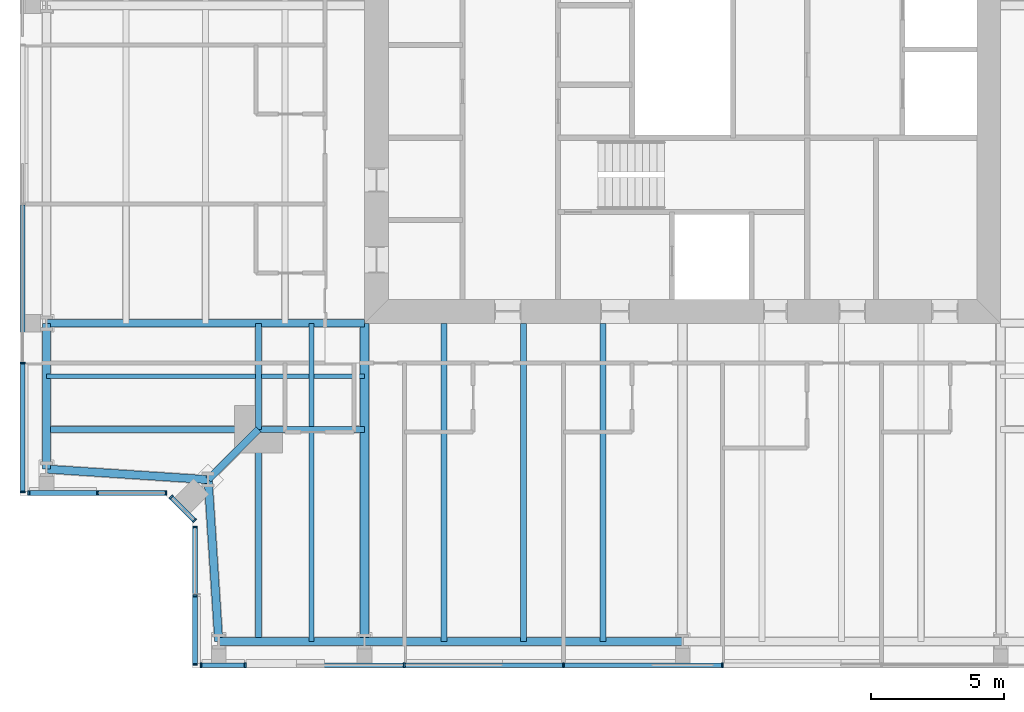
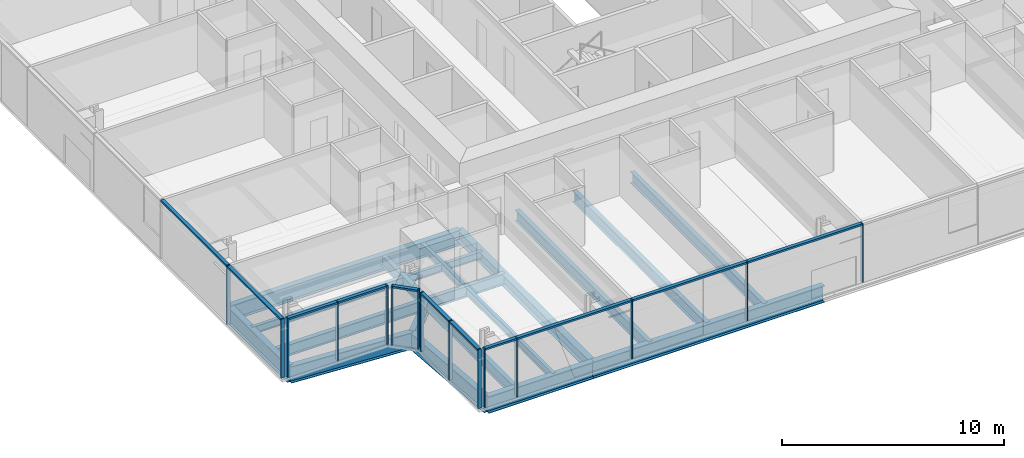
# One storey, part 2 of 20: 26 members, 20 beams, 5 elements without a shape of their own.
"""IFC4 building model written with IfcOpenShell, lengths in metres."""

from ifc_helpers import new_model, si_unit, direction, frame, origin, origin_2d, place, context, subcontext, project, spatial, rectangle, i_section, extrude, material, material_profile, profile_set, type_object, element, aggregate, save


model = new_model("IFC4")

# Units and contexts
model_context = context("Model", 3, precision=1e-05, world=origin(), true_north=direction((0.0, 1.0)))
body_context = subcontext(model_context, "Body", "Model", "MODEL_VIEW")
ifc_project = project(units=[si_unit("LENGTHUNIT", "METRE"), si_unit("AREAUNIT", "SQUARE_METRE"), si_unit("VOLUMEUNIT", "CUBIC_METRE"), si_unit("PLANEANGLEUNIT", "RADIAN"), si_unit("MASSUNIT", "GRAM", prefix="KILO")], contexts=[model_context])

# Site, building, storey
site_placement = place(None, origin())
site = spatial("IfcSite", under=ifc_project, at=site_placement, CompositionType="ELEMENT")
building_placement = place(site_placement, origin())
building = spatial("IfcBuilding", under=site, at=building_placement, Name="Fenwick Lantern Interchange", CompositionType="ELEMENT")
storey_placement = place(building_placement, frame((0.0, 0.0, 249.199951171875)))
storey = spatial("IfcBuildingStorey", under=building, at=storey_placement, Name="L58", CompositionType="ELEMENT", Elevation=249.199951171875)

# Beams
ifc_material_1 = material(Name="Steel ASTM A992 Grade 50", Category="steel")
ifc_material_profile_1 = material_profile(ifc_material_1, i_section(OverallWidth=0.3046875, OverallDepth=0.911865234375, WebThickness=0.015869140625, FlangeThickness=0.02392578125, at=origin_2d()), Name="W36X150")
ifc_profile_set_1 = profile_set([ifc_material_profile_1], Name="Steel ASTM A992 Grade 50")
beam_type_1 = type_object("IfcBeamType", Name="EDGE BEAM W36X150", PredefinedType="SPANDREL", material=ifc_profile_set_1)
beam_1_placement = place(storey_placement, frame((7.5, 1.0, -0.60595703125), z_axis=(1.0, 0.0, 0.0), x_axis=(0.0, 1.0, 0.0)))
element("IfcBeam", 1, at=beam_1_placement, inside=storey, type_object=beam_type_1, Name="L58/FR/S/EB1", PredefinedType="SPANDREL", context=body_context, shape_type="SweptSolid", body=[
    extrude(i_section(OverallWidth=0.3046875, OverallDepth=0.911865234375, WebThickness=0.015869140625, FlangeThickness=0.02392578125, at=origin_2d()), origin(), (0.0, 0.0, 1.0), 5.5),
])
beam_2_placement = place(storey_placement, frame((13.0, 1.0, -0.60595703125), z_axis=(1.0, 0.0, 0.0), x_axis=(0.0, 1.0, 0.0)))
element("IfcBeam", 2, at=beam_2_placement, inside=storey, type_object=beam_type_1, Name="L58/FR/S/EB2", PredefinedType="SPANDREL", context=body_context, shape_type="SweptSolid", body=[
    extrude(i_section(OverallWidth=0.3046875, OverallDepth=0.911865234375, WebThickness=0.015869140625, FlangeThickness=0.02392578125, at=origin_2d()), origin(), (0.0, 0.0, 1.0), 12.0),
])
beam_3_placement = place(storey_placement, frame((1.0, 13.0, -0.60595703125), z_axis=(0.0, -1.0, 0.0), x_axis=(1.0, 0.0, 0.0)))
element("IfcBeam", 3, at=beam_3_placement, inside=storey, type_object=beam_type_1, Name="L58/FR/W/EB4", PredefinedType="SPANDREL", context=body_context, shape_type="SweptSolid", body=[
    extrude(i_section(OverallWidth=0.3046875, OverallDepth=0.911865234375, WebThickness=0.015869140625, FlangeThickness=0.02392578125, at=origin_2d()), origin(), (0.0, 0.0, 1.0), 5.5),
])
for number, where, z_axis, x_axis, name in (
    (4, (1.0, 7.5, -0.60595703125), (0.997858060337, -0.065416293237, 0.0), (0.065416293237, 0.997858060337, 0.0), "L58/FR/W/EBR1"),
    (5, (7.10009765625, 7.10009765625, -0.60595703125), (0.065416293237, -0.997858060337, 0.0), (0.997858060337, 0.065416293237, 0.0), "L58/FR/W/EBR2"),
):
    element("IfcBeam", number, at=place(storey_placement, frame(where, z_axis=z_axis, x_axis=x_axis)), inside=storey, type_object=beam_type_1, Name=name, PredefinedType="SPANDREL", context=body_context, shape_type="SweptSolid", body=[
        extrude(i_section(OverallWidth=0.3046875, OverallDepth=0.911865234375, WebThickness=0.015869140625, FlangeThickness=0.02392578125, at=origin_2d()), origin(), (0.0, 0.0, 1.0), 6.11328125),
    ])
ifc_material_profile_2 = material_profile(ifc_material_1, i_section(OverallWidth=0.22900390625, OverallDepth=0.612060546875, WebThickness=0.011962890625, FlangeThickness=0.01953125, at=origin_2d()), Name="W24X84")
ifc_profile_set_2 = profile_set([ifc_material_profile_2], Name="Steel ASTM A992 Grade 50")
beam_type_2 = type_object("IfcBeamType", Name="FLOOR BEAM W24X84", PredefinedType="BEAM", material=ifc_profile_set_2)
for number, where, z_axis, x_axis, name in (
    (6, (16.0, 1.0, -0.4560546875), (0.0, 1.0, 0.0), (-1.0, 0.0, 0.0), "L58/FR/S/R02"),
    (7, (19.0, 1.0, -0.4560546875), (0.0, 1.0, 0.0), (-1.0, 0.0, 0.0), "L58/FR/S/R03"),
    (8, (22.0, 1.0, -0.4560546875), (0.0, 1.0, 0.0), (-1.0, 0.0, 0.0), "L58/FR/S/R04"),
):
    element("IfcBeam", number, at=place(storey_placement, frame(where, z_axis=z_axis, x_axis=x_axis)), inside=storey, type_object=beam_type_2, Name=name, PredefinedType="BEAM", context=body_context, shape_type="SweptSolid", body=[
        extrude(i_section(OverallWidth=0.22900390625, OverallDepth=0.612060546875, WebThickness=0.011962890625, FlangeThickness=0.01953125, at=origin_2d()), origin(), (0.0, 0.0, 1.0), 12.0),
    ])

# Curtain wall, members
ifc_material_2 = material(Name="Aluminium curtain wall frame", Category="aluminium")
curtain_wall_type = type_object("IfcCurtainWallType", Name="HOTEL CURTAIN WALL", PredefinedType="USERDEFINED", material=ifc_material_2)
curtain_wall_1_placement = place(storey_placement, origin())
curtain_wall_1 = element("IfcCurtainWall", 9, at=curtain_wall_1_placement, inside=storey, type_object=curtain_wall_type, Name="Hotel curtain wall 01", ObjectType="HOTEL CURTAIN WALL", PredefinedType="USERDEFINED")
ifc_material_3 = material(Name="Aluminium extrusion", Category="aluminium")
ifc_material_profile_3 = material_profile(ifc_material_3, rectangle(XDim=0.179931640625, YDim=0.06005859375, at=origin_2d()), Name="HOTEL CURTAIN WALL MULLION 60 X 180")
ifc_profile_set_3 = profile_set([ifc_material_profile_3], Name="Aluminium extrusion")
member_type_1 = type_object("IfcMemberType", Name="HOTEL CURTAIN WALL MULLION 60 X 180", PredefinedType="MULLION", material=ifc_profile_set_3)
member_1_placement = place(storey_placement, frame((6.830078125, 0.10009765625, 0.0), z_axis=(0.0, 0.0, 1.0), x_axis=(0.0, 1.0, 0.0)))
member_1 = element("IfcMember", 10, at=member_1_placement, type_object=member_type_1, Name="L58/CW/01/M00", PredefinedType="MULLION", context=body_context, shape_type="SweptSolid", body=[
    extrude(rectangle(XDim=0.179931640625, YDim=0.06005859375, at=origin_2d()), origin(), (0.0, 0.0, 1.0), 3.25),
])
member_2_placement = place(storey_placement, frame((8.5, 0.10009765625, 0.0), z_axis=(0.0, 0.0, 1.0), x_axis=(0.0, 1.0, 0.0)))
member_2 = element("IfcMember", 11, at=member_2_placement, type_object=member_type_1, Name="L58/CW/01/M01", PredefinedType="MULLION", context=body_context, shape_type="SweptSolid", body=[
    extrude(rectangle(XDim=0.179931640625, YDim=0.06005859375, at=origin_2d()), origin(), (0.0, 0.0, 1.0), 3.25),
])
member_3_placement = place(storey_placement, frame((14.5, 0.10009765625, 0.0), z_axis=(0.0, 0.0, 1.0), x_axis=(0.0, 1.0, 0.0)))
member_3 = element("IfcMember", 12, at=member_3_placement, type_object=member_type_1, Name="L58/CW/01/M02", PredefinedType="MULLION", context=body_context, shape_type="SweptSolid", body=[
    extrude(rectangle(XDim=0.179931640625, YDim=0.06005859375, at=origin_2d()), origin(), (0.0, 0.0, 1.0), 3.25),
])
member_4_placement = place(storey_placement, frame((20.5, 0.10009765625, 0.0), z_axis=(0.0, 0.0, 1.0), x_axis=(0.0, 1.0, 0.0)))
member_4 = element("IfcMember", 13, at=member_4_placement, type_object=member_type_1, Name="L58/CW/01/M03", PredefinedType="MULLION", context=body_context, shape_type="SweptSolid", body=[
    extrude(rectangle(XDim=0.179931640625, YDim=0.06005859375, at=origin_2d()), origin(), (0.0, 0.0, 1.0), 3.25),
])
member_5_placement = place(storey_placement, frame((26.5, 0.10009765625, 0.0), z_axis=(0.0, 0.0, 1.0), x_axis=(0.0, 1.0, 0.0)))
member_5 = element("IfcMember", 14, at=member_5_placement, type_object=member_type_1, Name="L58/CW/01/M04", PredefinedType="MULLION", context=body_context, shape_type="SweptSolid", body=[
    extrude(rectangle(XDim=0.179931640625, YDim=0.06005859375, at=origin_2d()), origin(), (0.0, 0.0, 1.0), 3.25),
])

curtain_wall_2_placement = place(storey_placement, origin())
curtain_wall_2 = element("IfcCurtainWall", 15, at=curtain_wall_2_placement, inside=storey, type_object=curtain_wall_type, Name="Hotel curtain wall 13", ObjectType="HOTEL CURTAIN WALL", PredefinedType="USERDEFINED")
member_6_placement = place(storey_placement, frame((0.10009765625, 11.5, 0.0), z_axis=(0.0, 0.0, 1.0), x_axis=(1.0, 0.0, 0.0)))
member_6 = element("IfcMember", 16, at=member_6_placement, type_object=member_type_1, Name="L58/CW/13/M06", PredefinedType="MULLION", context=body_context, shape_type="SweptSolid", body=[
    extrude(rectangle(XDim=0.179931640625, YDim=0.06005859375, at=origin_2d()), origin(), (0.0, 0.0, 1.0), 3.25),
])
member_7_placement = place(storey_placement, frame((0.10009765625, 6.6298828125, 0.0), z_axis=(0.0, 0.0, 1.0), x_axis=(1.0, 0.0, 0.0)))
member_7 = element("IfcMember", 17, at=member_7_placement, type_object=member_type_1, Name="L58/CW/13/M07", PredefinedType="MULLION", context=body_context, shape_type="SweptSolid", body=[
    extrude(rectangle(XDim=0.179931640625, YDim=0.06005859375, at=origin_2d()), origin(), (0.0, 0.0, 1.0), 3.25),
])

curtain_wall_3_placement = place(storey_placement, origin())
curtain_wall_3 = element("IfcCurtainWall", 18, at=curtain_wall_3_placement, inside=storey, type_object=curtain_wall_type, Name="Hotel curtain wall 14", ObjectType="HOTEL CURTAIN WALL", PredefinedType="USERDEFINED")
member_8_placement = place(storey_placement, frame((0.330078125, 6.60009765625, 0.0), z_axis=(0.0, 0.0, 1.0), x_axis=(0.0, 1.0, 0.0)))
member_8 = element("IfcMember", 19, at=member_8_placement, type_object=member_type_1, Name="L58/CW/14/M00", PredefinedType="MULLION", context=body_context, shape_type="SweptSolid", body=[
    extrude(rectangle(XDim=0.179931640625, YDim=0.06005859375, at=origin_2d()), origin(), (0.0, 0.0, 1.0), 3.25),
])
member_9_placement = place(storey_placement, frame((2.920654296875, 6.60009765625, 0.0), z_axis=(0.0, 0.0, 1.0), x_axis=(0.0, 1.0, 0.0)))
member_9 = element("IfcMember", 20, at=member_9_placement, type_object=member_type_1, Name="L58/CW/14/M01", PredefinedType="MULLION", context=body_context, shape_type="SweptSolid", body=[
    extrude(rectangle(XDim=0.179931640625, YDim=0.06005859375, at=origin_2d()), origin(), (0.0, 0.0, 1.0), 3.25),
])
member_10_placement = place(storey_placement, frame((5.511474609375, 6.60009765625, 0.0), z_axis=(0.0, 0.0, 1.0), x_axis=(0.0, 1.0, 0.0)))
member_10 = element("IfcMember", 21, at=member_10_placement, type_object=member_type_1, Name="L58/CW/14/M02", PredefinedType="MULLION", context=body_context, shape_type="SweptSolid", body=[
    extrude(rectangle(XDim=0.179931640625, YDim=0.06005859375, at=origin_2d()), origin(), (0.0, 0.0, 1.0), 3.25),
])

curtain_wall_4_placement = place(storey_placement, origin())
curtain_wall_4 = element("IfcCurtainWall", 22, at=curtain_wall_4_placement, inside=storey, type_object=curtain_wall_type, Name="Hotel curtain wall 15", ObjectType="HOTEL CURTAIN WALL", PredefinedType="USERDEFINED")
member_11_placement = place(storey_placement, frame((5.7041015625, 6.437255859375, 0.0), z_axis=(0.0, 0.0, 1.0), x_axis=(0.707106781187, 0.707106781187, 0.0)))
member_11 = element("IfcMember", 23, at=member_11_placement, type_object=member_type_1, Name="L58/CW/15/M00", PredefinedType="MULLION", context=body_context, shape_type="SweptSolid", body=[
    extrude(rectangle(XDim=0.179931640625, YDim=0.06005859375, at=origin_2d()), origin(), (0.0, 0.0, 1.0), 3.25),
])
member_12_placement = place(storey_placement, frame((6.578857421875, 5.562744140625, 0.0), z_axis=(0.0, 0.0, 1.0), x_axis=(0.707106781187, 0.707106781187, 0.0)))
member_12 = element("IfcMember", 24, at=member_12_placement, type_object=member_type_1, Name="L58/CW/15/M01", PredefinedType="MULLION", context=body_context, shape_type="SweptSolid", body=[
    extrude(rectangle(XDim=0.179931640625, YDim=0.06005859375, at=origin_2d()), origin(), (0.0, 0.0, 1.0), 3.25),
])

curtain_wall_5_placement = place(storey_placement, origin())
curtain_wall_5 = element("IfcCurtainWall", 25, at=curtain_wall_5_placement, inside=storey, type_object=curtain_wall_type, Name="Hotel curtain wall 16", ObjectType="HOTEL CURTAIN WALL", PredefinedType="USERDEFINED")
member_13_placement = place(storey_placement, frame((6.60009765625, 5.3115234375, 0.0), z_axis=(0.0, 0.0, 1.0), x_axis=(1.0, 0.0, 0.0)))
member_13 = element("IfcMember", 26, at=member_13_placement, type_object=member_type_1, Name="L58/CW/16/M00", PredefinedType="MULLION", context=body_context, shape_type="SweptSolid", body=[
    extrude(rectangle(XDim=0.179931640625, YDim=0.06005859375, at=origin_2d()), origin(), (0.0, 0.0, 1.0), 3.25),
])
member_14_placement = place(storey_placement, frame((6.60009765625, 2.720703125, 0.0), z_axis=(0.0, 0.0, 1.0), x_axis=(1.0, 0.0, 0.0)))
member_14 = element("IfcMember", 27, at=member_14_placement, type_object=member_type_1, Name="L58/CW/16/M01", PredefinedType="MULLION", context=body_context, shape_type="SweptSolid", body=[
    extrude(rectangle(XDim=0.179931640625, YDim=0.06005859375, at=origin_2d()), origin(), (0.0, 0.0, 1.0), 3.25),
])
member_15_placement = place(storey_placement, frame((6.60009765625, 0.1298828125, 0.0), z_axis=(0.0, 0.0, 1.0), x_axis=(1.0, 0.0, 0.0)))
member_15 = element("IfcMember", 28, at=member_15_placement, type_object=member_type_1, Name="L58/CW/16/M02", PredefinedType="MULLION", context=body_context, shape_type="SweptSolid", body=[
    extrude(rectangle(XDim=0.179931640625, YDim=0.06005859375, at=origin_2d()), origin(), (0.0, 0.0, 1.0), 3.25),
])

# Member
ifc_material_profile_4 = material_profile(ifc_material_3, rectangle(XDim=0.179931640625, YDim=0.10009765625, at=origin_2d()), Name="HOTEL CURTAIN WALL TRANSOM 100 X 180")
ifc_profile_set_4 = profile_set([ifc_material_profile_4], Name="Aluminium extrusion")
member_type_2 = type_object("IfcMemberType", Name="HOTEL CURTAIN WALL TRANSOM 100 X 180", PredefinedType="MULLION", material=ifc_profile_set_4)
member_16_placement = place(storey_placement, frame((6.860107421875, 0.10009765625, 3.199951171875), z_axis=(1.0, 0.0, 0.0), x_axis=(0.0, 1.0, 0.0)))
member_16 = element("IfcMember", 29, at=member_16_placement, type_object=member_type_2, Name="L58/CW/01/T00", PredefinedType="MULLION", context=body_context, shape_type="SweptSolid", body=[
    extrude(rectangle(XDim=0.179931640625, YDim=0.10009765625, at=origin_2d()), origin(), (0.0, 0.0, 1.0), 1.60986328125),
])

member_17_placement = place(storey_placement, frame((8.530029296875, 0.10009765625, 3.199951171875), z_axis=(1.0, 0.0, 0.0), x_axis=(0.0, 1.0, 0.0)))
member_17 = element("IfcMember", 30, at=member_17_placement, type_object=member_type_2, Name="L58/CW/01/T01", PredefinedType="MULLION", context=body_context, shape_type="SweptSolid", body=[
    extrude(rectangle(XDim=0.179931640625, YDim=0.10009765625, at=origin_2d()), origin(), (0.0, 0.0, 1.0), 5.93994140625),
])

member_18_placement = place(storey_placement, frame((14.530029296875, 0.10009765625, 3.199951171875), z_axis=(1.0, 0.0, 0.0), x_axis=(0.0, 1.0, 0.0)))
member_18 = element("IfcMember", 31, at=member_18_placement, type_object=member_type_2, Name="L58/CW/01/T02", PredefinedType="MULLION", context=body_context, shape_type="SweptSolid", body=[
    extrude(rectangle(XDim=0.179931640625, YDim=0.10009765625, at=origin_2d()), origin(), (0.0, 0.0, 1.0), 5.93994140625),
])

member_19_placement = place(storey_placement, frame((20.530029296875, 0.10009765625, 3.199951171875), z_axis=(1.0, 0.0, 0.0), x_axis=(0.0, 1.0, 0.0)))
member_19 = element("IfcMember", 32, at=member_19_placement, type_object=member_type_2, Name="L58/CW/01/T03", PredefinedType="MULLION", context=body_context, shape_type="SweptSolid", body=[
    extrude(rectangle(XDim=0.179931640625, YDim=0.10009765625, at=origin_2d()), origin(), (0.0, 0.0, 1.0), 5.93994140625),
])

aggregate(curtain_wall_1, [member_1, member_2, member_3, member_4, member_5, member_16, member_17, member_18, member_19])

member_20_placement = place(storey_placement, frame((0.10009765625, 17.469970703125, 3.199951171875), z_axis=(0.0, -1.0, 0.0), x_axis=(1.0, 0.0, 0.0)))
member_20 = element("IfcMember", 33, at=member_20_placement, type_object=member_type_2, Name="L58/CW/13/T05", PredefinedType="MULLION", context=body_context, shape_type="SweptSolid", body=[
    extrude(rectangle(XDim=0.179931640625, YDim=0.10009765625, at=origin_2d()), origin(), (0.0, 0.0, 1.0), 5.93994140625),
])

member_21_placement = place(storey_placement, frame((0.10009765625, 11.469970703125, 3.199951171875), z_axis=(0.0, -1.0, 0.0), x_axis=(1.0, 0.0, 0.0)))
member_21 = element("IfcMember", 34, at=member_21_placement, type_object=member_type_2, Name="L58/CW/13/T06", PredefinedType="MULLION", context=body_context, shape_type="SweptSolid", body=[
    extrude(rectangle(XDim=0.179931640625, YDim=0.10009765625, at=origin_2d()), origin(), (0.0, 0.0, 1.0), 4.81005859375),
])

aggregate(curtain_wall_2, [member_6, member_7, member_20, member_21])

member_22_placement = place(storey_placement, frame((0.360107421875, 6.60009765625, 3.199951171875), z_axis=(1.0, 0.0, 0.0), x_axis=(0.0, 1.0, 0.0)))
member_22 = element("IfcMember", 35, at=member_22_placement, type_object=member_type_2, Name="L58/CW/14/T00", PredefinedType="MULLION", context=body_context, shape_type="SweptSolid", body=[
    extrude(rectangle(XDim=0.179931640625, YDim=0.10009765625, at=origin_2d()), origin(), (0.0, 0.0, 1.0), 2.530517578125),
])

member_23_placement = place(storey_placement, frame((2.95068359375, 6.60009765625, 3.199951171875), z_axis=(1.0, 0.0, 0.0), x_axis=(0.0, 1.0, 0.0)))
member_23 = element("IfcMember", 36, at=member_23_placement, type_object=member_type_2, Name="L58/CW/14/T01", PredefinedType="MULLION", context=body_context, shape_type="SweptSolid", body=[
    extrude(rectangle(XDim=0.179931640625, YDim=0.10009765625, at=origin_2d()), origin(), (0.0, 0.0, 1.0), 2.53076171875),
])

aggregate(curtain_wall_3, [member_8, member_9, member_10, member_22, member_23])

member_24_placement = place(storey_placement, frame((5.725341796875, 6.416259765625, 3.199951171875), z_axis=(0.707003077033, -0.707210470133, 0.0), x_axis=(0.707210470133, 0.707003077033, 0.0)))
member_24 = element("IfcMember", 37, at=member_24_placement, type_object=member_type_2, Name="L58/CW/15/T00", PredefinedType="MULLION", context=body_context, shape_type="SweptSolid", body=[
    extrude(rectangle(XDim=0.179931640625, YDim=0.10009765625, at=origin_2d()), origin(), (0.0, 0.0, 1.0), 1.17724609375),
])

aggregate(curtain_wall_4, [member_11, member_12, member_24])

member_25_placement = place(storey_placement, frame((6.60009765625, 5.281494140625, 3.199951171875), z_axis=(0.0, -1.0, 0.0), x_axis=(1.0, 0.0, 0.0)))
member_25 = element("IfcMember", 38, at=member_25_placement, type_object=member_type_2, Name="L58/CW/16/T00", PredefinedType="MULLION", context=body_context, shape_type="SweptSolid", body=[
    extrude(rectangle(XDim=0.179931640625, YDim=0.10009765625, at=origin_2d()), origin(), (0.0, 0.0, 1.0), 2.53076171875),
])

member_26_placement = place(storey_placement, frame((6.60009765625, 2.690673828125, 3.199951171875), z_axis=(0.0, -1.0, 0.0), x_axis=(1.0, 0.0, 0.0)))
member_26 = element("IfcMember", 39, at=member_26_placement, type_object=member_type_2, Name="L58/CW/16/T01", PredefinedType="MULLION", context=body_context, shape_type="SweptSolid", body=[
    extrude(rectangle(XDim=0.179931640625, YDim=0.10009765625, at=origin_2d()), origin(), (0.0, 0.0, 1.0), 2.53076171875),
])

aggregate(curtain_wall_5, [member_13, member_14, member_15, member_25, member_26])

# Beams
ifc_material_profile_5 = material_profile(ifc_material_1, i_section(OverallWidth=0.177734375, OverallDepth=0.406494140625, WebThickness=0.0078125, FlangeThickness=0.012939453125, at=origin_2d()), Name="W16X40")
ifc_profile_set_5 = profile_set([ifc_material_profile_5], Name="Steel ASTM A992 Grade 50")
beam_type_3 = type_object("IfcBeamType", Name="INFILL BEAM W16X40", PredefinedType="JOIST", material=ifc_profile_set_5)
beam_4_placement = place(storey_placement, frame((11.0, 1.0, -0.353271484375), z_axis=(0.0, 1.0, 0.0), x_axis=(-1.0, 0.0, 0.0)))
element("IfcBeam", 40, at=beam_4_placement, inside=storey, type_object=beam_type_3, Name="L58/FR/S/J1", PredefinedType="JOIST", context=body_context, shape_type="SweptSolid", body=[
    extrude(i_section(OverallWidth=0.177734375, OverallDepth=0.406494140625, WebThickness=0.0078125, FlangeThickness=0.012939453125, at=origin_2d()), origin(), (0.0, 0.0, 1.0), 7.885498046875),
])
beam_5_placement = place(storey_placement, frame((11.0, 9.114501953125, -0.353271484375), z_axis=(0.0, 1.0, 0.0), x_axis=(-1.0, 0.0, 0.0)))
element("IfcBeam", 41, at=beam_5_placement, inside=storey, type_object=beam_type_3, Name="L58/FR/S/J2", PredefinedType="JOIST", context=body_context, shape_type="SweptSolid", body=[
    extrude(i_section(OverallWidth=0.177734375, OverallDepth=0.406494140625, WebThickness=0.0078125, FlangeThickness=0.012939453125, at=origin_2d()), origin(), (0.0, 0.0, 1.0), 3.885498046875),
])
beam_6_placement = place(storey_placement, frame((1.0, 11.0, -0.353271484375), z_axis=(1.0, 0.0, 0.0), x_axis=(0.0, 1.0, 0.0)))
element("IfcBeam", 42, at=beam_6_placement, inside=storey, type_object=beam_type_3, Name="L58/FR/S/J3", PredefinedType="JOIST", context=body_context, shape_type="SweptSolid", body=[
    extrude(i_section(OverallWidth=0.177734375, OverallDepth=0.406494140625, WebThickness=0.0078125, FlangeThickness=0.012939453125, at=origin_2d()), origin(), (0.0, 0.0, 1.0), 7.885498046875),
])
beam_7_placement = place(storey_placement, frame((9.114501953125, 11.0, -0.353271484375), z_axis=(1.0, 0.0, 0.0), x_axis=(0.0, 1.0, 0.0)))
element("IfcBeam", 43, at=beam_7_placement, inside=storey, type_object=beam_type_3, Name="L58/FR/S/J4", PredefinedType="JOIST", context=body_context, shape_type="SweptSolid", body=[
    extrude(i_section(OverallWidth=0.177734375, OverallDepth=0.406494140625, WebThickness=0.0078125, FlangeThickness=0.012939453125, at=origin_2d()), origin(), (0.0, 0.0, 1.0), 1.796630859375),
])
beam_8_placement = place(storey_placement, frame((11.0888671875, 11.0, -0.353271484375), z_axis=(1.0, 0.0, 0.0), x_axis=(0.0, 1.0, 0.0)))
element("IfcBeam", 44, at=beam_8_placement, inside=storey, type_object=beam_type_3, Name="L58/FR/S/J5", PredefinedType="JOIST", context=body_context, shape_type="SweptSolid", body=[
    extrude(i_section(OverallWidth=0.177734375, OverallDepth=0.406494140625, WebThickness=0.0078125, FlangeThickness=0.012939453125, at=origin_2d()), origin(), (0.0, 0.0, 1.0), 1.9111328125),
])
ifc_material_profile_6 = material_profile(ifc_material_1, i_section(OverallWidth=0.22900390625, OverallDepth=0.612060546875, WebThickness=0.011962890625, FlangeThickness=0.01953125, at=origin_2d()), Name="W24X84")
ifc_profile_set_6 = profile_set([ifc_material_profile_6], Name="Steel ASTM A992 Grade 50")
beam_type_4 = type_object("IfcBeamType", Name="MEGA COLUMN BEAM W24X84", PredefinedType="BEAM", material=ifc_profile_set_6)
for number, where, z_axis, x_axis, name in (
    (45, (9.0, 9.0, -0.4560546875), (0.0, -1.0, 0.0), (1.0, 0.0, 0.0), "L58/FR/S/MB1"),
    (46, (9.0, 9.0, -0.4560546875), (-1.0, 0.0, 0.0), (0.0, -1.0, 0.0), "L58/FR/S/MB2"),
):
    element("IfcBeam", number, at=place(storey_placement, frame(where, z_axis=z_axis, x_axis=x_axis)), inside=storey, type_object=beam_type_4, Name=name, PredefinedType="BEAM", context=body_context, shape_type="SweptSolid", body=[
        extrude(i_section(OverallWidth=0.22900390625, OverallDepth=0.612060546875, WebThickness=0.011962890625, FlangeThickness=0.01953125, at=origin_2d()), origin(), (0.0, 0.0, 1.0), 8.0),
    ])
for number, where, z_axis, x_axis, name in (
    (47, (9.0, 9.0, -0.4560546875), (1.0, 0.0, 0.0), (0.0, 1.0, 0.0), "L58/FR/S/MB3"),
    (48, (9.0, 9.0, -0.4560546875), (0.0, 1.0, 0.0), (-1.0, 0.0, 0.0), "L58/FR/S/MB4"),
):
    element("IfcBeam", number, at=place(storey_placement, frame(where, z_axis=z_axis, x_axis=x_axis)), inside=storey, type_object=beam_type_4, Name=name, PredefinedType="BEAM", context=body_context, shape_type="SweptSolid", body=[
        extrude(i_section(OverallWidth=0.22900390625, OverallDepth=0.612060546875, WebThickness=0.011962890625, FlangeThickness=0.01953125, at=origin_2d()), origin(), (0.0, 0.0, 1.0), 4.0),
    ])
ifc_material_profile_7 = material_profile(ifc_material_1, i_section(OverallWidth=0.32763671875, OverallDepth=0.622314453125, WebThickness=0.015380859375, FlangeThickness=0.0244140625, at=origin_2d()), Name="W24X131")
ifc_profile_set_7 = profile_set([ifc_material_profile_7], Name="Steel ASTM A992 Grade 50")
beam_type_5 = type_object("IfcBeamType", Name="MOMENT-CONNECTED GIRDER W24X131", PredefinedType="BEAM", material=ifc_profile_set_7)
beam_9_placement = place(storey_placement, frame((13.0, 1.0, -0.461181640625), z_axis=(0.0, 1.0, 0.0), x_axis=(-1.0, 0.0, 0.0)))
element("IfcBeam", 49, at=beam_9_placement, inside=storey, type_object=beam_type_5, Name="L58/FR/S/R01", PredefinedType="BEAM", context=body_context, shape_type="SweptSolid", body=[
    extrude(i_section(OverallWidth=0.32763671875, OverallDepth=0.622314453125, WebThickness=0.015380859375, FlangeThickness=0.0244140625, at=origin_2d()), origin(), (0.0, 0.0, 1.0), 12.0),
])
ifc_material_profile_8 = material_profile(ifc_material_1, i_section(OverallWidth=0.2919921875, OverallDepth=0.845703125, WebThickness=0.015380859375, FlangeThickness=0.0244140625, at=origin_2d()), Name="W33X141")
ifc_profile_set_8 = profile_set([ifc_material_profile_8], Name="Steel ASTM A992 Grade 50")
beam_type_6 = type_object("IfcBeamType", Name="MOMENT-CONNECTED GIRDER W33X141", PredefinedType="BEAM", material=ifc_profile_set_8)
beam_10_placement = place(storey_placement, frame((1.0, 13.0, -0.57275390625), z_axis=(1.0, 0.0, 0.0), x_axis=(0.0, 1.0, 0.0)))
element("IfcBeam", 50, at=beam_10_placement, inside=storey, type_object=beam_type_6, Name="L58/FR/W/R03", PredefinedType="BEAM", context=body_context, shape_type="SweptSolid", body=[
    extrude(i_section(OverallWidth=0.2919921875, OverallDepth=0.845703125, WebThickness=0.015380859375, FlangeThickness=0.0244140625, at=origin_2d()), origin(), (0.0, 0.0, 1.0), 12.0),
])
ifc_material_profile_9 = material_profile(ifc_material_1, i_section(OverallWidth=0.2666015625, OverallDepth=0.7568359375, WebThickness=0.013916015625, FlangeThickness=0.019287109375, at=origin_2d()), Name="W30X108")
ifc_profile_set_9 = profile_set([ifc_material_profile_9], Name="Steel ASTM A992 Grade 50")
beam_type_7 = type_object("IfcBeamType", Name="NOTCH BEAM W30X108", PredefinedType="BEAM", material=ifc_profile_set_9)
beam_11_placement = place(storey_placement, frame((9.0, 9.0, -0.5283203125), z_axis=(-0.707106781187, -0.707106781187, 0.0), x_axis=(0.707106781187, -0.707106781187, 0.0)))
element("IfcBeam", 51, at=beam_11_placement, inside=storey, type_object=beam_type_7, Name="L58/FR/S/TG", PredefinedType="BEAM", context=body_context, shape_type="SweptSolid", body=[
    extrude(i_section(OverallWidth=0.2666015625, OverallDepth=0.7568359375, WebThickness=0.013916015625, FlangeThickness=0.019287109375, at=origin_2d()), origin(), (0.0, 0.0, 1.0), 2.686767578125),
])

save(model, "model.ifc")
